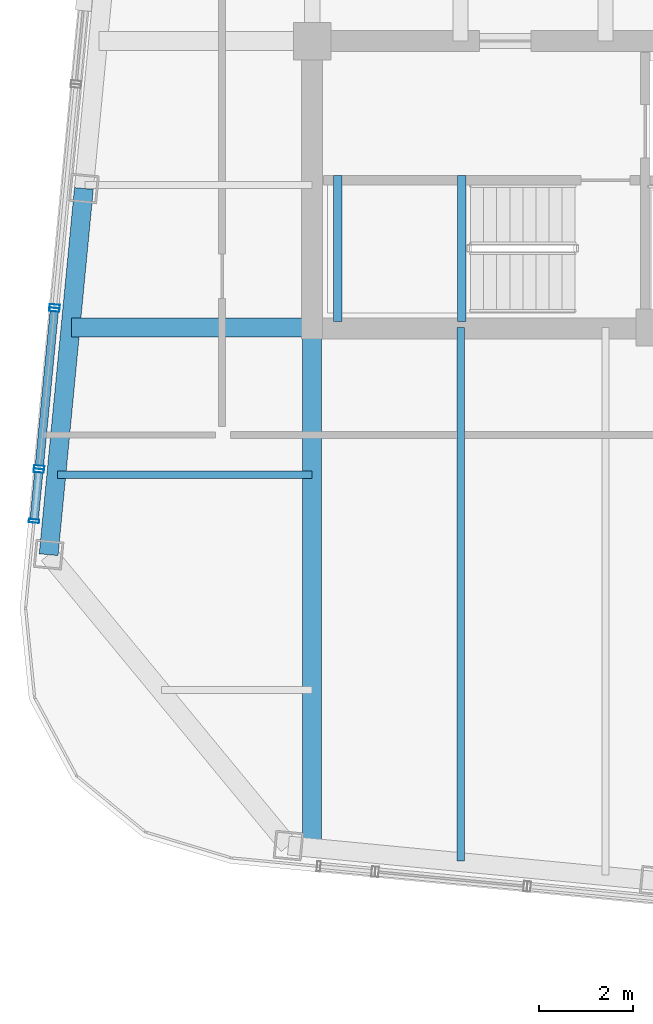
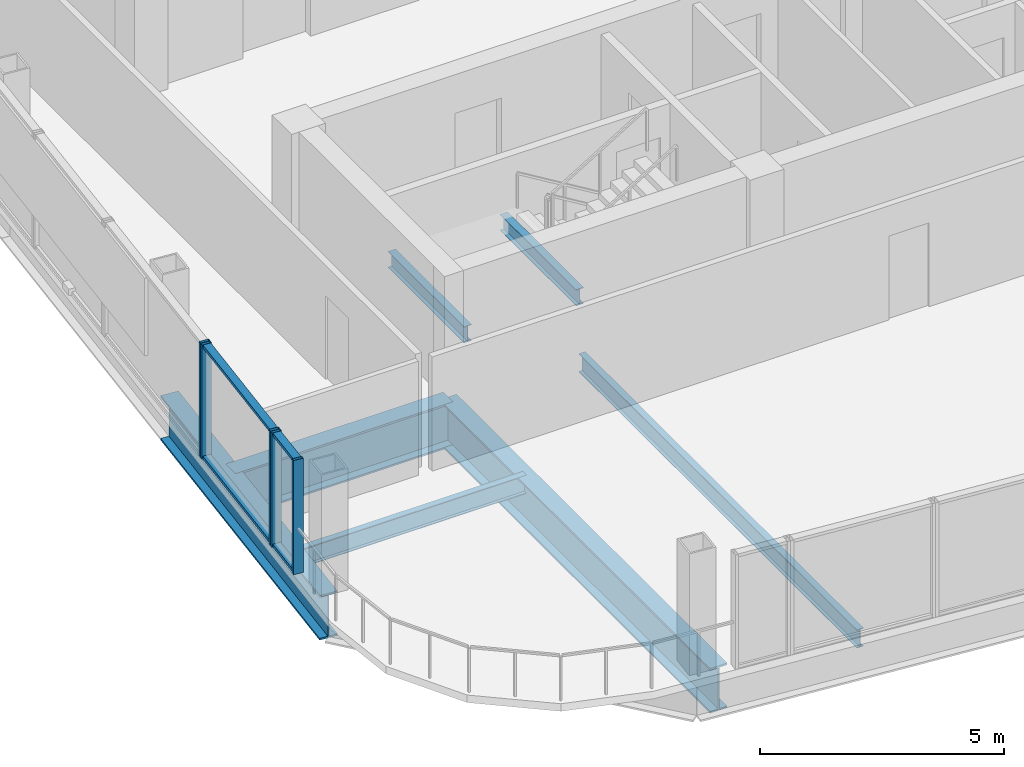
# One storey, part 3 of 22: 9 members, 7 beams, 3 elements without a shape of their own.
"""IFC4 building model written with IfcOpenShell, lengths in metres."""

from ifc_helpers import new_model, si_unit, direction, frame, origin, origin_2d, place, context, subcontext, project, spatial, hollow_rectangle, i_section, extrude, material, layer, layer_set, material_profile, profile_set, type_object, element, aggregate, save


model = new_model("IFC4")

# Units and contexts
model_context = context("Model", 3, precision=1e-05, world=origin(), true_north=direction((0.0, 1.0)))
body_context = subcontext(model_context, "Body", "Model", "MODEL_VIEW")
ifc_project = project(units=[si_unit("LENGTHUNIT", "METRE"), si_unit("AREAUNIT", "SQUARE_METRE"), si_unit("VOLUMEUNIT", "CUBIC_METRE"), si_unit("PLANEANGLEUNIT", "RADIAN"), si_unit("MASSUNIT", "GRAM", prefix="KILO")], contexts=[model_context])

# Site, building, storey
site_placement = place(None, origin())
site = spatial("IfcSite", under=ifc_project, at=site_placement, CompositionType="ELEMENT")
building_placement = place(site_placement, origin())
building = spatial("IfcBuilding", under=site, at=building_placement, Name="Qhalaya Broadcast Tower", CompositionType="ELEMENT")
storey_placement = place(building_placement, frame((0.0, 0.0, 245.89990234375)))
storey = spatial("IfcBuildingStorey", under=building, at=storey_placement, Name="L72", CompositionType="ELEMENT", Elevation=245.89990234375)

# Beams
ifc_material_1 = material(Name="Structural Steel ASTM A992 Grade 50", Category="steel")
ifc_material_profile_1 = material_profile(ifc_material_1, i_section(OverallWidth=0.154052734375, OverallDepth=0.458984375, WebThickness=0.009033203125, FlangeThickness=0.015380859375, at=origin_2d()), Name="W18X46")
ifc_profile_set_1 = profile_set([ifc_material_profile_1], Name="Structural Steel ASTM A992 Grade 50")
beam_type_1 = type_object("IfcBeamType", Name="Composite Floor Joist J04", PredefinedType="JOIST", material=ifc_profile_set_1)
beam_1_placement = place(storey_placement, frame((-6.199951171875, -20.1630859375, -0.41943359375), z_axis=(0.0, 1.0, 0.0), x_axis=(-1.0, 0.0, 0.0)))
element("IfcBeam", 1, at=beam_1_placement, inside=storey, type_object=beam_type_1, Name="L72 J04 L72-JNS1-1", PredefinedType="JOIST", context=body_context, shape_type="SweptSolid", body=[
    extrude(i_section(OverallWidth=0.154052734375, OverallDepth=0.458984375, WebThickness=0.009033203125, FlangeThickness=0.015380859375, at=origin_2d()), origin(), (0.0, 0.0, 1.0), 11.4130859375),
])
beam_2_placement = place(storey_placement, frame((-14.82568359375, -11.89990234375, -0.41943359375), z_axis=(1.0, 0.0, 0.0), x_axis=(0.0, 1.0, 0.0)))
element("IfcBeam", 2, at=beam_2_placement, inside=storey, type_object=beam_type_1, Name="L72 J04 L72-JWE2W-1", PredefinedType="JOIST", context=body_context, shape_type="SweptSolid", body=[
    extrude(i_section(OverallWidth=0.154052734375, OverallDepth=0.458984375, WebThickness=0.009033203125, FlangeThickness=0.015380859375, at=origin_2d()), origin(), (0.0, 0.0, 1.0), 5.45068359375),
])
ifc_material_profile_2 = material_profile(ifc_material_1, i_section(OverallWidth=0.404052734375, OverallDepth=1.117919921875, WebThickness=0.026123046875, FlangeThickness=0.044921875, at=origin_2d()), Name="W44X335")
ifc_profile_set_2 = profile_set([ifc_material_profile_2], Name="Structural Steel ASTM A992 Grade 50")
beam_type_2 = type_object("IfcBeamType", Name="Podium Long-Span Primary Girder PG1", PredefinedType="USERDEFINED", material=ifc_profile_set_2)
beam_3_placement = place(storey_placement, frame((-14.25634765625, -5.77783203125, -0.7490234375), z_axis=(-0.095864972855, -0.995394347472, 0.0), x_axis=(0.995394347472, -0.095864972855, 0.0)))
element("IfcBeam", 3, at=beam_3_placement, inside=storey, type_object=beam_type_2, Name="L72 PG1 L72-SPR-15", ObjectType="GIRDER", PredefinedType="USERDEFINED", context=body_context, shape_type="SweptSolid", body=[
    extrude(i_section(OverallWidth=0.404052734375, OverallDepth=1.117919921875, WebThickness=0.026123046875, FlangeThickness=0.044921875, at=origin_2d()), origin(), (0.0, 0.0, 1.0), 7.86669921875),
])
beam_4_placement = place(storey_placement, frame((-9.375, -19.857421875, -0.7490234375), z_axis=(0.0, 1.0, 0.0), x_axis=(-1.0, 0.0, 0.0)))
element("IfcBeam", 4, at=beam_4_placement, inside=storey, type_object=beam_type_2, Name="L72 PG1 L72-PGXS1-1", ObjectType="GIRDER", PredefinedType="USERDEFINED", context=body_context, shape_type="SweptSolid", body=[
    extrude(i_section(OverallWidth=0.404052734375, OverallDepth=1.117919921875, WebThickness=0.026123046875, FlangeThickness=0.044921875, at=origin_2d()), origin(), (0.0, 0.0, 1.0), 11.107421875),
])
beam_5_placement = place(storey_placement, frame((-14.5224609375, -8.75, -0.7490234375), z_axis=(1.0, 0.0, 0.0), x_axis=(0.0, 1.0, 0.0)))
element("IfcBeam", 5, at=beam_5_placement, inside=storey, type_object=beam_type_2, Name="L72 PG1 L72-PGYW1-1", ObjectType="GIRDER", PredefinedType="USERDEFINED", context=body_context, shape_type="SweptSolid", body=[
    extrude(i_section(OverallWidth=0.404052734375, OverallDepth=1.117919921875, WebThickness=0.026123046875, FlangeThickness=0.044921875, at=origin_2d()), origin(), (0.0, 0.0, 1.0), 5.1474609375),
])

# Curtain wall, member
ifc_material_2 = material(Name="Fired Architectural Terracotta", Category="masonry")
ifc_layer_1 = layer(ifc_material_2, 0.219970703125, Name="Fired Architectural Terracotta")
ifc_layer_set_1 = layer_set([ifc_layer_1], Name="Fired Architectural Terracotta")
curtain_wall_type_1 = type_object("IfcCurtainWallType", Name="Block-Cap Unitised Terracotta Spandrel Wall CW-07", PredefinedType="NOTDEFINED", material=ifc_layer_set_1)
curtain_wall_1_placement = place(storey_placement, origin())
curtain_wall_1 = element("IfcCurtainWall", 6, at=curtain_wall_1_placement, inside=storey, type_object=curtain_wall_type_1, Name="L72 Unitised Curtain Wall L72-CW-W5", PredefinedType="NOTDEFINED")
ifc_material_3 = material(Name="Anodised Aluminium 6063-T6", Category="aluminium")
ifc_material_profile_3 = material_profile(ifc_material_3, hollow_rectangle(XDim=0.074951171875, YDim=0.219970703125, WallThickness=0.00390625, at=origin_2d()), Name="ALU-MUL 75x220x4")
ifc_profile_set_3 = profile_set([ifc_material_profile_3], Name="Anodised Aluminium 6063-T6")
member_type_1 = type_object("IfcMemberType", Name="Unitised Curtain-Wall Mullion M01", PredefinedType="MULLION", material=ifc_profile_set_3)
member_1_placement = place(storey_placement, frame((-14.880615234375, -8.2958984375, 0.0), z_axis=(0.0, 0.0, 1.0), x_axis=(-0.095860228044, -0.995394804427, 0.0)))
member_1 = element("IfcMember", 7, at=member_1_placement, type_object=member_type_1, Name="CW-07 mullion 2", PredefinedType="MULLION", context=body_context, shape_type="SweptSolid", body=[
    extrude(hollow_rectangle(XDim=0.074951171875, YDim=0.219970703125, WallThickness=0.00390625, at=origin_2d()), origin(), (0.0, 0.0, 1.0), 2.860107421875),
])
aggregate(curtain_wall_1, [member_1])

# Curtain wall, members
ifc_material_4 = material(Name="Solar-Control Low-E Triple Glazing", Category="glass")
ifc_layer_2 = layer(ifc_material_4, 0.219970703125, Name="Solar-Control Low-E Triple Glazing")
ifc_layer_set_2 = layer_set([ifc_layer_2], Name="Solar-Control Low-E Triple Glazing")
curtain_wall_type_2 = type_object("IfcCurtainWallType", Name="High-Altitude Upper-Shaft Triple Low-E Curtain Wall CW-04", PredefinedType="NOTDEFINED", material=ifc_layer_set_2)
curtain_wall_2_placement = place(storey_placement, origin())
curtain_wall_2 = element("IfcCurtainWall", 8, at=curtain_wall_2_placement, inside=storey, type_object=curtain_wall_type_2, Name="L72 Unitised Curtain Wall L72-CW-W6", PredefinedType="NOTDEFINED")
member_2_placement = place(storey_placement, frame((-14.887939453125, -8.37060546875, 0.0), z_axis=(0.0, 0.0, 1.0), x_axis=(-0.095839108862, -0.995396838056, 0.0)))
member_2 = element("IfcMember", 9, at=member_2_placement, type_object=member_type_1, Name="CW-04 mullion 1", PredefinedType="MULLION", context=body_context, shape_type="SweptSolid", body=[
    extrude(hollow_rectangle(XDim=0.074951171875, YDim=0.219970703125, WallThickness=0.00390625, at=origin_2d()), origin(), (0.0, 0.0, 1.0), 2.860107421875),
])
member_3_placement = place(storey_placement, frame((-15.212158203125, -11.73876953125, 0.0), z_axis=(0.0, 0.0, 1.0), x_axis=(-0.095839108862, -0.995396838056, 0.0)))
member_3 = element("IfcMember", 10, at=member_3_placement, type_object=member_type_1, Name="CW-04 mullion 2", PredefinedType="MULLION", context=body_context, shape_type="SweptSolid", body=[
    extrude(hollow_rectangle(XDim=0.074951171875, YDim=0.219970703125, WallThickness=0.00390625, at=origin_2d()), origin(), (0.0, 0.0, 1.0), 2.860107421875),
])

curtain_wall_3_placement = place(storey_placement, origin())
curtain_wall_3 = element("IfcCurtainWall", 11, at=curtain_wall_3_placement, inside=storey, type_object=curtain_wall_type_1, Name="L72 Unitised Curtain Wall L72-CW-W7", PredefinedType="NOTDEFINED")
member_4_placement = place(storey_placement, frame((-15.219482421875, -11.8134765625, 0.0), z_axis=(0.0, 0.0, 1.0), x_axis=(-0.095839545253, -0.995396796039, 0.0)))
member_4 = element("IfcMember", 12, at=member_4_placement, type_object=member_type_1, Name="CW-07 mullion 1", PredefinedType="MULLION", context=body_context, shape_type="SweptSolid", body=[
    extrude(hollow_rectangle(XDim=0.074951171875, YDim=0.219970703125, WallThickness=0.00390625, at=origin_2d()), origin(), (0.0, 0.0, 1.0), 2.860107421875),
])
member_5_placement = place(storey_placement, frame((-15.32275390625, -12.887451171875, 0.0), z_axis=(0.0, 0.0, 1.0), x_axis=(-0.095839545253, -0.995396796039, 0.0)))
member_5 = element("IfcMember", 13, at=member_5_placement, type_object=member_type_1, Name="CW-07 mullion 2", PredefinedType="MULLION", context=body_context, shape_type="SweptSolid", body=[
    extrude(hollow_rectangle(XDim=0.074951171875, YDim=0.219970703125, WallThickness=0.00390625, at=origin_2d()), origin(), (0.0, 0.0, 1.0), 2.860107421875),
])

# Member
ifc_material_profile_4 = material_profile(ifc_material_3, hollow_rectangle(XDim=0.074951171875, YDim=0.179931640625, WallThickness=0.00390625, at=origin_2d()), Name="ALU-TRN 75x180x4")
ifc_profile_set_4 = profile_set([ifc_material_profile_4], Name="Anodised Aluminium 6063-T6")
member_type_2 = type_object("IfcMemberType", Name="Unitised Curtain-Wall Transom T01", PredefinedType="USERDEFINED", material=ifc_profile_set_4)
member_6_placement = place(storey_placement, frame((-14.8916015625, -8.407958984375, 0.03759765625), z_axis=(-0.095770048436, -0.995403484936, 0.0), x_axis=(0.0, 0.0, 1.0)))
member_6 = element("IfcMember", 14, at=member_6_placement, type_object=member_type_2, Name="CW-04 transom 1.1", ObjectType="TRANSOM", PredefinedType="USERDEFINED", context=body_context, shape_type="SweptSolid", body=[
    extrude(hollow_rectangle(XDim=0.074951171875, YDim=0.179931640625, WallThickness=0.00390625, at=origin_2d()), origin(), (0.0, 0.0, 1.0), 3.308837890625),
])

member_7_placement = place(storey_placement, frame((-14.8916015625, -8.407958984375, 2.822509765625), z_axis=(-0.095770048436, -0.995403484936, 0.0), x_axis=(0.0, 0.0, 1.0)))
member_7 = element("IfcMember", 15, at=member_7_placement, type_object=member_type_2, Name="CW-04 transom 1.2", ObjectType="TRANSOM", PredefinedType="USERDEFINED", context=body_context, shape_type="SweptSolid", body=[
    extrude(hollow_rectangle(XDim=0.074951171875, YDim=0.179931640625, WallThickness=0.00390625, at=origin_2d()), origin(), (0.0, 0.0, 1.0), 3.308837890625),
])

aggregate(curtain_wall_2, [member_2, member_3, member_6, member_7])

member_8_placement = place(storey_placement, frame((-15.222900390625, -11.850830078125, 0.03759765625), z_axis=(-0.095795797955, -0.99540100718, 0.0), x_axis=(0.0, 0.0, 1.0)))
member_8 = element("IfcMember", 16, at=member_8_placement, type_object=member_type_2, Name="CW-07 transom 1.1", ObjectType="TRANSOM", PredefinedType="USERDEFINED", context=body_context, shape_type="SweptSolid", body=[
    extrude(hollow_rectangle(XDim=0.074951171875, YDim=0.179931640625, WallThickness=0.00390625, at=origin_2d()), origin(), (0.0, 0.0, 1.0), 1.004150390625),
])

member_9_placement = place(storey_placement, frame((-15.222900390625, -11.850830078125, 2.822509765625), z_axis=(-0.095795797955, -0.99540100718, 0.0), x_axis=(0.0, 0.0, 1.0)))
member_9 = element("IfcMember", 17, at=member_9_placement, type_object=member_type_2, Name="CW-07 transom 1.2", ObjectType="TRANSOM", PredefinedType="USERDEFINED", context=body_context, shape_type="SweptSolid", body=[
    extrude(hollow_rectangle(XDim=0.074951171875, YDim=0.179931640625, WallThickness=0.00390625, at=origin_2d()), origin(), (0.0, 0.0, 1.0), 1.004150390625),
])

aggregate(curtain_wall_3, [member_4, member_5, member_8, member_9])

# Beams
ifc_material_profile_5 = material_profile(ifc_material_1, i_section(OverallWidth=0.177978515625, OverallDepth=0.406005859375, WebThickness=0.0078125, FlangeThickness=0.0126953125, at=origin_2d()), Name="W16X40")
ifc_profile_set_5 = profile_set([ifc_material_profile_5], Name="Structural Steel ASTM A992 Grade 50")
beam_type_3 = type_object("IfcBeamType", Name="Upper Perimeter Spandrel Beam SP2", PredefinedType="SPANDREL", material=ifc_profile_set_5)
for number, where, z_axis, x_axis, name in (
    (18, (-8.830078125, -8.6201171875, 1.1220703125), (0.0, 1.0, 0.0), (-1.0, 0.0, 0.0), "L72 ST-2 Half-Landing Bearer Beam 1"),
    (19, (-6.175048828125, -8.6201171875, 1.1220703125), (0.0, 1.0, 0.0), (-1.0, 0.0, 0.0), "L72 ST-2 Half-Landing Bearer Beam 2"),
):
    element("IfcBeam", number, at=place(storey_placement, frame(where, z_axis=z_axis, x_axis=x_axis)), inside=storey, type_object=beam_type_3, Name=name, PredefinedType="SPANDREL", context=body_context, shape_type="SweptSolid", body=[
        extrude(i_section(OverallWidth=0.177978515625, OverallDepth=0.406005859375, WebThickness=0.0078125, FlangeThickness=0.0126953125, at=origin_2d()), origin(), (0.0, 0.0, 1.0), 3.1201171875),
    ])

save(model, "model.ifc")
